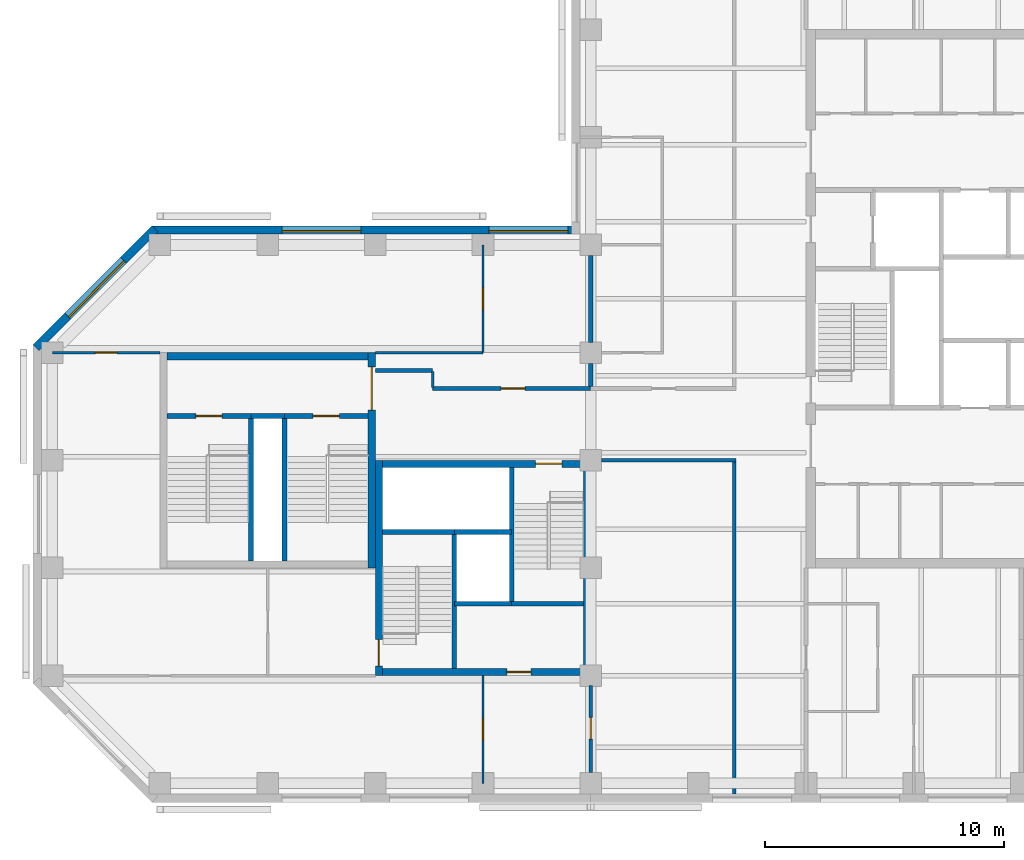
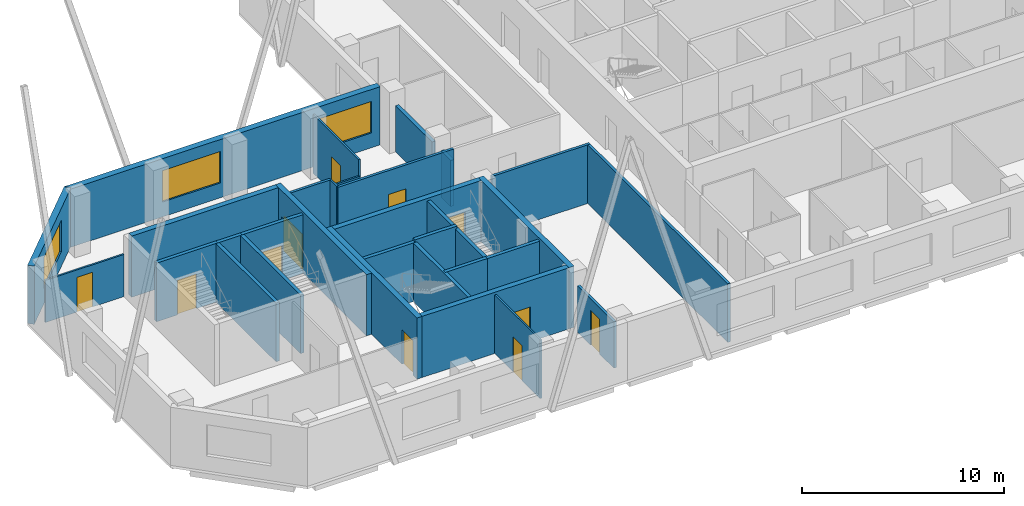
# One storey, part 3 of 10: 31 walls, 11 doors, 3 windows, 14 openings.
"""IFC4 building model written with IfcOpenShell, lengths in metres."""

from ifc_helpers import new_model, si_unit, direction, frame, frame_2d, origin, place, context, subcontext, project, spatial, rectangle, extrude, material, layer, layer_set, constituent, constituent_set, type_object, element, fill, save


model = new_model("IFC4")

# Units and contexts
model_context = context("Model", 3, precision=1e-05, world=origin(), true_north=direction((0.0, 1.0)))
body_context = subcontext(model_context, "Body", "Model", "MODEL_VIEW")
ifc_project = project(units=[si_unit("LENGTHUNIT", "METRE"), si_unit("AREAUNIT", "SQUARE_METRE"), si_unit("VOLUMEUNIT", "CUBIC_METRE"), si_unit("PLANEANGLEUNIT", "RADIAN"), si_unit("MASSUNIT", "GRAM", prefix="KILO")], contexts=[model_context])

# Site, building, storey
site_placement = place(None, origin())
site = spatial("IfcSite", under=ifc_project, at=site_placement, CompositionType="ELEMENT")
building_placement = place(site_placement, origin())
building = spatial("IfcBuilding", under=site, at=building_placement, Name="Quoin Convention Tower", CompositionType="ELEMENT")
storey_placement = place(building_placement, frame((0.0, 0.0, 234.10009765625)))
storey = spatial("IfcBuildingStorey", under=building, at=storey_placement, Name="L61", CompositionType="ELEMENT", Elevation=234.10009765625)

# Wall, openings, windows
ifc_material_1 = material(Name="Brick masonry", Category="masonry")
ifc_layer_1 = layer(ifc_material_1, 0.35009765625)
ifc_layer_set_1 = layer_set([ifc_layer_1], Name="Brick masonry")
wall_type_1 = type_object("IfcWallType", Name="Brick facade wall", PredefinedType="STANDARD", material=ifc_layer_set_1)
wall_1_placement = place(storey_placement, frame((35.550048828125, 63.625, 0.0), z_axis=(0.0, 0.0, 1.0), x_axis=(-1.0, 0.0, 0.0)))
wall_1 = element("IfcWall", 1, at=wall_1_placement, inside=storey, type_object=wall_type_1, Name="fw-L61-36000_63000", PredefinedType="STANDARD", context=body_context, shape_type="SweptSolid", body=[
    extrude(rectangle(XDim=17.88134765625, YDim=0.35009765625, at=frame_2d((8.940673828125, 0.0))), origin(), (0.0, 0.0, 1.0), 3.52490234375),
])
opening_1_placement = place(wall_1_placement, frame((0.5, 0.0, 0.89990234375)))
opening_1 = element("IfcOpeningElement", 2, at=opening_1_placement, cuts=wall_1, Name="Opening W-02", PredefinedType="OPENING", context=body_context, shape_type="SweptSolid", body=[
    extrude(rectangle(XDim=3.300048828125, YDim=1.89990234375, at=frame_2d((1.64990234375, 0.949951171875))), frame((0.0, 0.18505859375, 0.0), z_axis=(0.0, -1.0, 0.0), x_axis=(1.0, 0.0, 0.0)), (0.0, 0.0, 1.0), 0.3701171875),
])
opening_2_placement = place(wall_1_placement, frame((9.14990234375, 0.0, 0.89990234375)))
opening_2 = element("IfcOpeningElement", 3, at=opening_2_placement, cuts=wall_1, Name="Opening W-02", PredefinedType="OPENING", context=body_context, shape_type="SweptSolid", body=[
    extrude(rectangle(XDim=3.300048828125, YDim=1.89990234375, at=frame_2d((1.64990234375, 0.949951171875))), frame((0.0, 0.18505859375, 0.0), z_axis=(0.0, -1.0, 0.0), x_axis=(1.0, 0.0, 0.0)), (0.0, 0.0, 1.0), 0.3701171875),
])
ifc_material_2 = material(Name="Aluminium", Category="aluminium")
ifc_constituent_1 = constituent(ifc_material_2, Name="Frame")
ifc_material_3 = material(Name="Insulated glass", Category="glass")
ifc_constituent_2 = constituent(ifc_material_3, Name="Glazing")
ifc_constituent_set = constituent_set(constituents=[ifc_constituent_1, ifc_constituent_2], Name="Aluminium")
window_type = type_object("IfcWindowType", Name="Office window", PartitioningType="DOUBLE_PANEL_VERTICAL", PredefinedType="WINDOW", material=ifc_constituent_set)
window_1_placement = place(opening_1_placement, origin())
window_1 = element("IfcWindow", 4, at=window_1_placement, inside=storey, type_object=window_type, Name="win-L61-33750_63625", OverallHeight=1.89990234375, OverallWidth=3.300048828125, PartitioningType="SINGLE_PANEL", PredefinedType="WINDOW", context=body_context, shape_type="SweptSolid", body=[
    extrude(rectangle(XDim=3.300048828125, YDim=1.89990234375, at=frame_2d((1.64990234375, 0.949951171875))), frame((0.0, 0.0849609375, 0.0), z_axis=(0.0, -1.0, 0.0), x_axis=(1.0, 0.0, 0.0)), (0.0, 0.0, 1.0), 0.06005859375),
])
fill(opening_1, window_1)
window_2_placement = place(opening_2_placement, origin())
window_2 = element("IfcWindow", 5, at=window_2_placement, inside=storey, type_object=window_type, Name="win-L61-24750_63625", OverallHeight=1.89990234375, OverallWidth=3.300048828125, PartitioningType="SINGLE_PANEL", PredefinedType="WINDOW", context=body_context, shape_type="SweptSolid", body=[
    extrude(rectangle(XDim=3.300048828125, YDim=1.89990234375, at=frame_2d((1.64990234375, 0.949951171875))), frame((0.0, 0.0849609375, 0.0), z_axis=(0.0, -1.0, 0.0), x_axis=(1.0, 0.0, 0.0)), (0.0, 0.0, 1.0), 0.06005859375),
])
fill(opening_2, window_2)

# Wall, opening, window
wall_2_placement = place(storey_placement, frame((17.79248046875, 63.67626953125, 0.0), z_axis=(0.0, 0.0, 1.0), x_axis=(-0.707106781187, -0.707106781187, 0.0)))
wall_2 = element("IfcWall", 6, at=wall_2_placement, inside=storey, type_object=wall_type_1, Name="fw-L61-18000_63000", PredefinedType="STANDARD", context=body_context, shape_type="SweptSolid", body=[
    extrude(rectangle(XDim=7.02685546875, YDim=0.35009765625, at=frame_2d((3.513427734375, 0.0))), origin(), (0.0, 0.0, 1.0), 3.52490234375),
])
opening_3_placement = place(wall_2_placement, frame((1.86328125, 0.0, 0.89990234375)))
opening_3 = element("IfcOpeningElement", 7, at=opening_3_placement, cuts=wall_2, Name="Opening W-02", PredefinedType="OPENING", context=body_context, shape_type="SweptSolid", body=[
    extrude(rectangle(XDim=3.300048828125, YDim=1.89990234375, at=frame_2d((1.64990234375, 0.949951171875))), frame((0.0, 0.18505859375, 0.0), z_axis=(0.0, -1.0, 0.0), x_axis=(1.0, 0.0, 0.0)), (0.0, 0.0, 1.0), 0.3701171875),
])
window_3_placement = place(opening_3_placement, origin())
window_3 = element("IfcWindow", 8, at=window_3_placement, inside=storey, type_object=window_type, Name="win-L61-15308_61192", OverallHeight=1.89990234375, OverallWidth=3.300048828125, PartitioningType="SINGLE_PANEL", PredefinedType="WINDOW", context=body_context, shape_type="SweptSolid", body=[
    extrude(rectangle(XDim=3.300048828125, YDim=1.89990234375, at=frame_2d((1.64990234375, 0.949951171875))), frame((0.0, 0.0849609375, 0.0), z_axis=(0.0, -1.0, 0.0), x_axis=(1.0, 0.0, 0.0)), (0.0, 0.0, 1.0), 0.06005859375),
])
fill(opening_3, window_3)

# Walls
ifc_material_4 = material(Name="Concrete C50", Category="concrete")
ifc_layer_2 = layer(ifc_material_4, 0.199951171875)
ifc_layer_set_2 = layer_set([ifc_layer_2], Name="Concrete C50")
wall_type_2 = type_object("IfcWallType", Name="Core shaft wall", PredefinedType="SOLIDWALL", material=ifc_layer_set_2)
wall_3_placement = place(storey_placement, frame((30.300048828125, 48.0, 0.0), z_axis=(0.0, 0.0, 1.0), x_axis=(1.0, 0.0, 0.0)))
element("IfcWall", 9, at=wall_3_placement, inside=storey, type_object=wall_type_2, Name="cr-P2-L61-h3000_3300", PredefinedType="SOLIDWALL", context=body_context, shape_type="SweptSolid", body=[
    extrude(rectangle(XDim=2.39990234375, YDim=0.199951171875, at=frame_2d((1.199951171875, 0.0))), origin(), (0.0, 0.0, 1.0), 3.5498046875),
])
for number, where, z_axis, x_axis, name in (
    (10, (32.699951171875, 48.0, 0.0), (0.0, 0.0, 1.0), (1.0, 0.0, 0.0), "cr-P2-L61-h3000_5700"),
    (11, (27.300048828125, 51.0, 0.0), (0.0, 0.0, 1.0), (1.0, 0.0, 0.0), "cr-P2-L61-h6000_300"),
):
    element("IfcWall", number, at=place(storey_placement, frame(where, z_axis=z_axis, x_axis=x_axis)), inside=storey, type_object=wall_type_2, Name=name, PredefinedType="SOLIDWALL", context=body_context, shape_type="SweptSolid", body=[
        extrude(rectangle(XDim=3.0, YDim=0.199951171875, at=frame_2d((1.5, 0.0))), origin(), (0.0, 0.0, 1.0), 3.5498046875),
    ])
for number, where, z_axis, x_axis, name in (
    (12, (30.300048828125, 45.300048828125, 0.0), (0.0, 0.0, 1.0), (0.0, 1.0, 0.0), "cr-P2-L61-v3300_300"),
    (13, (32.699951171875, 48.0, 0.0), (0.0, 0.0, 1.0), (0.0, 1.0, 0.0), "cr-P2-L61-v5700_3000"),
):
    element("IfcWall", number, at=place(storey_placement, frame(where, z_axis=z_axis, x_axis=x_axis)), inside=storey, type_object=wall_type_2, Name=name, PredefinedType="SOLIDWALL", context=body_context, shape_type="SweptSolid", body=[
        extrude(rectangle(XDim=5.699951171875, YDim=0.199951171875, at=frame_2d((2.85009765625, 0.0))), origin(), (0.0, 0.0, 1.0), 3.5498046875),
    ])
wall_4_placement = place(storey_placement, frame((21.800048828125, 55.85009765625, 0.0), z_axis=(0.0, 0.0, 1.0), x_axis=(1.0, 0.0, 0.0)))
element("IfcWall", 14, at=wall_4_placement, inside=storey, type_object=wall_type_2, Name="cr-P6-L61-h6350_3800", PredefinedType="SOLIDWALL", context=body_context, shape_type="SweptSolid", body=[
    extrude(rectangle(XDim=1.39990234375, YDim=0.199951171875, at=frame_2d((0.699951171875, 0.0))), origin(), (0.0, 0.0, 1.0), 3.5498046875),
])

# Wall, opening, door
wall_5_placement = place(storey_placement, frame((18.300048828125, 55.85009765625, 0.0), z_axis=(0.0, 0.0, 1.0), x_axis=(1.0, 0.0, 0.0)))
wall_5 = element("IfcWall", 15, at=wall_5_placement, inside=storey, type_object=wall_type_2, Name="cr-P6-L61-h6350_300", PredefinedType="SOLIDWALL", context=body_context, shape_type="SweptSolid", body=[
    extrude(rectangle(XDim=3.5, YDim=0.199951171875, at=frame_2d((1.75, 0.0))), origin(), (0.0, 0.0, 1.0), 3.5498046875),
])
opening_4_placement = place(wall_5_placement, frame((1.199951171875, 0.0, 0.0)))
opening_4 = element("IfcOpeningElement", 16, at=opening_4_placement, cuts=wall_5, Name="Opening SD11", PredefinedType="OPENING", context=body_context, shape_type="SweptSolid", body=[
    extrude(rectangle(XDim=1.10009765625, YDim=2.10009765625, at=frame_2d((0.550048828125, 1.050048828125))), frame((0.0, 0.10986328125, 0.0), z_axis=(0.0, -1.0, 0.0), x_axis=(1.0, 0.0, 0.0)), (0.0, 0.0, 1.0), 0.219970703125),
])
ifc_material_5 = material(Name="Steel door leaf", Category="steel")
door_type_1 = type_object("IfcDoorType", Name="Stair door 1100 x 2100", OperationType="SINGLE_SWING_RIGHT", PredefinedType="DOOR", material=ifc_material_5)
door_1_placement = place(opening_4_placement, origin())
door_1 = element("IfcDoor", 17, at=door_1_placement, inside=storey, type_object=door_type_1, Name="cd-P6-L61-SA-R2-SD11", OperationType="SINGLE_SWING_RIGHT", OverallHeight=2.10009765625, OverallWidth=1.10009765625, PredefinedType="DOOR", context=body_context, shape_type="SweptSolid", body=[
    extrude(rectangle(XDim=1.10009765625, YDim=2.10009765625, at=frame_2d((0.550048828125, 1.050048828125))), frame((0.0, 0.02490234375, 0.0), z_axis=(0.0, -1.0, 0.0), x_axis=(1.0, 0.0, 0.0)), (0.0, 0.0, 1.0), 0.050048828125),
])
fill(opening_4, door_1)

wall_6_placement = place(storey_placement, frame((23.199951171875, 55.85009765625, 0.0), z_axis=(0.0, 0.0, 1.0), x_axis=(1.0, 0.0, 0.0)))
wall_6 = element("IfcWall", 18, at=wall_6_placement, inside=storey, type_object=wall_type_2, Name="cr-P6-L61-h6350_5200", PredefinedType="SOLIDWALL", context=body_context, shape_type="SweptSolid", body=[
    extrude(rectangle(XDim=3.5, YDim=0.199951171875, at=frame_2d((1.75, 0.0))), origin(), (0.0, 0.0, 1.0), 3.5498046875),
])
opening_5_placement = place(wall_6_placement, frame((1.199951171875, 0.0, 0.0)))
opening_5 = element("IfcOpeningElement", 19, at=opening_5_placement, cuts=wall_6, Name="Opening SD12", PredefinedType="OPENING", context=body_context, shape_type="SweptSolid", body=[
    extrude(rectangle(XDim=1.10009765625, YDim=2.10009765625, at=frame_2d((0.550048828125, 1.050048828125))), frame((0.0, 0.10986328125, 0.0), z_axis=(0.0, -1.0, 0.0), x_axis=(1.0, 0.0, 0.0)), (0.0, 0.0, 1.0), 0.219970703125),
])
door_2_placement = place(opening_5_placement, origin())
door_2 = element("IfcDoor", 20, at=door_2_placement, inside=storey, type_object=door_type_1, Name="cd-P6-L61-SB-R2-SD12", OperationType="SINGLE_SWING_RIGHT", OverallHeight=2.10009765625, OverallWidth=1.10009765625, PredefinedType="DOOR", context=body_context, shape_type="SweptSolid", body=[
    extrude(rectangle(XDim=1.10009765625, YDim=2.10009765625, at=frame_2d((0.550048828125, 1.050048828125))), frame((0.0, 0.02490234375, 0.0), z_axis=(0.0, -1.0, 0.0), x_axis=(1.0, 0.0, 0.0)), (0.0, 0.0, 1.0), 0.050048828125),
])
fill(opening_5, door_2)

# Walls
for number, where, z_axis, x_axis, name in (
    (21, (21.800048828125, 49.800048828125, 0.0), (0.0, 0.0, 1.0), (0.0, 1.0, 0.0), "cr-P6-L61-v3800_300"),
    (22, (23.199951171875, 49.800048828125, 0.0), (0.0, 0.0, 1.0), (0.0, 1.0, 0.0), "cr-P6-L61-v5200_300"),
):
    element("IfcWall", number, at=place(storey_placement, frame(where, z_axis=z_axis, x_axis=x_axis)), inside=storey, type_object=wall_type_2, Name=name, PredefinedType="SOLIDWALL", context=body_context, shape_type="SweptSolid", body=[
        extrude(rectangle(XDim=6.050048828125, YDim=0.199951171875, at=frame_2d((3.02490234375, 0.0))), origin(), (0.0, 0.0, 1.0), 3.5498046875),
    ])
ifc_layer_3 = layer(ifc_material_4, 0.199951171875)
ifc_layer_set_3 = layer_set([ifc_layer_3], Name="Concrete C50")
wall_type_3 = type_object("IfcWallType", Name="Core shaft wall to the floor level over", PredefinedType="SOLIDWALL", material=ifc_layer_set_3)
wall_7_placement = place(storey_placement, frame((30.300048828125, 51.0, 0.0), z_axis=(0.0, 0.0, 1.0), x_axis=(1.0, 0.0, 0.0)))
element("IfcWall", 23, at=wall_7_placement, inside=storey, type_object=wall_type_3, Name="cr-P2-L61-h6000_3300", PredefinedType="SOLIDWALL", context=body_context, shape_type="SweptSolid", body=[
    extrude(rectangle(XDim=2.39990234375, YDim=0.199951171875, at=frame_2d((1.199951171875, 0.0))), origin(), (0.0, 0.0, 1.0), 3.699951171875),
])
ifc_material_6 = material(Name="Plasterboard")
ifc_layer_4 = layer(ifc_material_6, 0.012451171875, Name="Finish")
ifc_material_7 = material(Name="Steel stud framing", Category="steel")
ifc_layer_5 = layer(ifc_material_7, 0.125, Name="Structure")
ifc_layer_6 = layer(ifc_material_6, 0.012451171875, Name="Finish")
ifc_layer_set_4 = layer_set([ifc_layer_4, ifc_layer_5, ifc_layer_6], Name="Steel stud framing")
wall_type_4 = type_object("IfcWallType", Name="Corridor wall 150", PredefinedType="PARTITIONING", material=ifc_layer_set_4)
wall_8_placement = place(storey_placement, frame((36.449951171875, 54.0, 0.0), z_axis=(0.0, 0.0, 1.0), x_axis=(1.0, 0.0, 0.0)))
element("IfcWall", 24, at=wall_8_placement, inside=storey, type_object=wall_type_4, Name="pw-L61-016", PredefinedType="PARTITIONING", context=body_context, shape_type="SweptSolid", body=[
    extrude(rectangle(XDim=5.625, YDim=0.14990234375, at=frame_2d((2.8125, 0.0))), origin(), (0.0, 0.0, 1.0), 3.5498046875),
])

# Wall, opening, door
wall_9_placement = place(storey_placement, frame((29.3798828125, 57.0, 0.0), z_axis=(0.0, 0.0, 1.0), x_axis=(1.0, 0.0, 0.0)))
wall_9 = element("IfcWall", 25, at=wall_9_placement, inside=storey, type_object=wall_type_4, Name="pw-L61-018", PredefinedType="PARTITIONING", context=body_context, shape_type="SweptSolid", body=[
    extrude(rectangle(XDim=6.6201171875, YDim=0.14990234375, at=frame_2d((3.31005859375, 0.0))), origin(), (0.0, 0.0, 1.0), 3.5498046875),
])
opening_6_placement = place(wall_9_placement, frame((2.8798828125, 0.0, 0.0)))
opening_6 = element("IfcOpeningElement", 26, at=opening_6_placement, cuts=wall_9, Name="Opening DOH11-03", PredefinedType="OPENING", context=body_context, shape_type="SweptSolid", body=[
    extrude(rectangle(XDim=1.0, YDim=2.10009765625, at=frame_2d((0.5, 1.050048828125))), frame((0.0, 0.0849609375, 0.0), z_axis=(0.0, -1.0, 0.0), x_axis=(1.0, 0.0, 0.0)), (0.0, 0.0, 1.0), 0.169921875),
])
door_type_2 = type_object("IfcDoorType", Name="Tenancy entrance door 1000 x 2100", OperationType="DOUBLE_DOOR_SINGLE_SWING", PredefinedType="DOOR", material=ifc_material_5)
door_3_placement = place(opening_6_placement, origin())
door_3 = element("IfcDoor", 27, at=door_3_placement, inside=storey, type_object=door_type_2, Name="dr-L61-w01", OperationType="DOUBLE_DOOR_SINGLE_SWING", OverallHeight=2.10009765625, OverallWidth=1.0, PredefinedType="DOOR", context=body_context, shape_type="SweptSolid", body=[
    extrude(rectangle(XDim=1.0, YDim=2.10009765625, at=frame_2d((0.5, 1.050048828125))), frame((0.0, 0.02490234375, 0.0), z_axis=(0.0, -1.0, 0.0), x_axis=(1.0, 0.0, 0.0)), (0.0, 0.0, 1.0), 0.050048828125),
])
fill(opening_6, door_3)

# Walls
wall_10_placement = place(storey_placement, frame((42.0, 40.050048828125, 0.0), z_axis=(0.0, 0.0, 1.0), x_axis=(0.0, 1.0, 0.0)))
element("IfcWall", 28, at=wall_10_placement, inside=storey, type_object=wall_type_4, Name="pw-L61-035", PredefinedType="PARTITIONING", context=body_context, shape_type="SweptSolid", body=[
    extrude(rectangle(XDim=13.875, YDim=0.14990234375, at=frame_2d((6.9375, 0.0))), origin(), (0.0, 0.0, 1.0), 3.5498046875),
])
wall_11_placement = place(storey_placement, frame((27.0, 57.75, 0.0), z_axis=(0.0, 0.0, 1.0), x_axis=(1.0, 0.0, 0.0)))
element("IfcWall", 29, at=wall_11_placement, inside=storey, type_object=wall_type_4, Name="pw-L61-w08", PredefinedType="PARTITIONING", context=body_context, shape_type="SweptSolid", body=[
    extrude(rectangle(XDim=2.39990234375, YDim=0.14990234375, at=frame_2d((1.199951171875, 0.0))), origin(), (0.0, 0.0, 1.0), 3.5498046875),
])

# Wall, opening, door
ifc_layer_7 = layer(ifc_material_6, 0.012451171875, Name="Finish")
ifc_layer_8 = layer(ifc_material_7, 0.125, Name="Structure")
ifc_layer_9 = layer(ifc_material_6, 0.012451171875, Name="Finish")
ifc_layer_set_5 = layer_set([ifc_layer_7, ifc_layer_8, ifc_layer_9], Name="Steel stud framing")
wall_type_5 = type_object("IfcWallType", Name="Corridor wall 150 under beam 750", PredefinedType="PARTITIONING", material=ifc_layer_set_5)
wall_12_placement = place(storey_placement, frame((36.0, 40.949951171875, 0.0), z_axis=(0.0, 0.0, 1.0), x_axis=(0.0, 1.0, 0.0)))
wall_12 = element("IfcWall", 30, at=wall_12_placement, inside=storey, type_object=wall_type_5, Name="pw-L61-043", PredefinedType="PARTITIONING", context=body_context, shape_type="SweptSolid", body=[
    extrude(rectangle(XDim=3.630126953125, YDim=0.14990234375, at=frame_2d((1.81494140625, 0.0))), origin(), (0.0, 0.0, 1.0), 2.7998046875),
])
opening_7_placement = place(wall_12_placement, frame((1.39990234375, 0.0, 0.0)))
opening_7 = element("IfcOpeningElement", 31, at=opening_7_placement, cuts=wall_12, Name="Opening DOH11-11", PredefinedType="OPENING", context=body_context, shape_type="SweptSolid", body=[
    extrude(rectangle(XDim=0.89990234375, YDim=2.10009765625, at=frame_2d((0.449951171875, 1.050048828125))), frame((0.0, 0.0849609375, 0.0), z_axis=(0.0, -1.0, 0.0), x_axis=(1.0, 0.0, 0.0)), (0.0, 0.0, 1.0), 0.169921875),
])
door_type_3 = type_object("IfcDoorType", Name="Office door 900 x 2100", OperationType="SINGLE_SWING_RIGHT", PredefinedType="DOOR", material=ifc_material_5)
door_4_placement = place(opening_7_placement, frame((0.89990234375, 0.0, 0.0), z_axis=(0.0, 0.0, 1.0), x_axis=(-1.0, 0.0, 0.0)))
door_4 = element("IfcDoor", 32, at=door_4_placement, inside=storey, type_object=door_type_3, Name="dr-L61-01", OperationType="SINGLE_SWING_LEFT", OverallHeight=2.10009765625, OverallWidth=0.89990234375, PredefinedType="DOOR", context=body_context, shape_type="SweptSolid", body=[
    extrude(rectangle(XDim=0.89990234375, YDim=2.10009765625, at=frame_2d((0.449951171875, 1.050048828125))), frame((0.0, 0.02490234375, 0.0), z_axis=(0.0, -1.0, 0.0), x_axis=(1.0, 0.0, 0.0)), (0.0, 0.0, 1.0), 0.050048828125),
])
fill(opening_7, door_4)

ifc_layer_10 = layer(ifc_material_4, 0.300048828125)
ifc_layer_set_6 = layer_set([ifc_layer_10], Name="Concrete C50")
wall_type_6 = type_object("IfcWallType", Name="RC CORE WALL 300 C50", PredefinedType="SHEAR", material=ifc_layer_set_6)
wall_13_placement = place(storey_placement, frame((27.300048828125, 45.14990234375, 0.0), z_axis=(0.0, 0.0, 1.0), x_axis=(1.0, 0.0, 0.0)))
wall_13 = element("IfcWall", 33, at=wall_13_placement, inside=storey, type_object=wall_type_6, Name="cwl-P2-L61-S", PredefinedType="SHEAR", context=body_context, shape_type="SweptSolid", body=[
    extrude(rectangle(XDim=8.39990234375, YDim=0.300048828125, at=frame_2d((4.199951171875, 0.0))), origin(), (0.0, 0.0, 1.0), 3.699951171875),
])
opening_8_placement = place(wall_13_placement, frame((5.199951171875, 0.0, 0.0)))
opening_8 = element("IfcOpeningElement", 34, at=opening_8_placement, cuts=wall_13, Name="Opening DCV3-41", PredefinedType="OPENING", context=body_context, shape_type="SweptSolid", body=[
    extrude(rectangle(XDim=1.0, YDim=2.10009765625, at=frame_2d((0.5, 1.050048828125))), frame((0.0, 0.159912109375, 0.0), z_axis=(0.0, -1.0, 0.0), x_axis=(1.0, 0.0, 0.0)), (0.0, 0.0, 1.0), 0.320068359375),
])
door_type_4 = type_object("IfcDoorType", Name="Service door 1000 x 2100", OperationType="SINGLE_SWING_LEFT", PredefinedType="DOOR", material=ifc_material_5)
door_5_placement = place(opening_8_placement, frame((1.0, 0.0, 0.0), z_axis=(0.0, 0.0, 1.0), x_axis=(-1.0, 0.0, 0.0)))
door_5 = element("IfcDoor", 35, at=door_5_placement, inside=storey, type_object=door_type_4, Name="cd-P2-L61-R2-S", OperationType="SINGLE_SWING_RIGHT", OverallHeight=2.10009765625, OverallWidth=1.0, PredefinedType="DOOR", context=body_context, shape_type="SweptSolid", body=[
    extrude(rectangle(XDim=1.0, YDim=2.10009765625, at=frame_2d((0.5, 1.050048828125))), frame((0.0, 0.02490234375, 0.0), z_axis=(0.0, -1.0, 0.0), x_axis=(1.0, 0.0, 0.0)), (0.0, 0.0, 1.0), 0.050048828125),
])
fill(opening_8, door_5)

wall_14_placement = place(storey_placement, frame((27.300048828125, 53.85009765625, 0.0), z_axis=(0.0, 0.0, 1.0), x_axis=(1.0, 0.0, 0.0)))
wall_14 = element("IfcWall", 36, at=wall_14_placement, inside=storey, type_object=wall_type_6, Name="cwl-P2-L61-N", PredefinedType="SHEAR", context=body_context, shape_type="SweptSolid", body=[
    extrude(rectangle(XDim=8.39990234375, YDim=0.300048828125, at=frame_2d((4.199951171875, 0.0))), origin(), (0.0, 0.0, 1.0), 3.699951171875),
])
opening_9_placement = place(wall_14_placement, frame((6.39990234375, 0.0, 0.0)))
opening_9 = element("IfcOpeningElement", 37, at=opening_9_placement, cuts=wall_14, Name="Opening SD4", PredefinedType="OPENING", context=body_context, shape_type="SweptSolid", body=[
    extrude(rectangle(XDim=1.10009765625, YDim=2.10009765625, at=frame_2d((0.550048828125, 1.050048828125))), frame((0.0, 0.159912109375, 0.0), z_axis=(0.0, -1.0, 0.0), x_axis=(1.0, 0.0, 0.0)), (0.0, 0.0, 1.0), 0.320068359375),
])
door_6_placement = place(opening_9_placement, frame((1.10009765625, 0.0, 0.0), z_axis=(0.0, 0.0, 1.0), x_axis=(-1.0, 0.0, 0.0)))
door_6 = element("IfcDoor", 38, at=door_6_placement, inside=storey, type_object=door_type_1, Name="cd-P2-L61-SB-N", OperationType="SINGLE_SWING_LEFT", OverallHeight=2.10009765625, OverallWidth=1.10009765625, PredefinedType="DOOR", context=body_context, shape_type="SweptSolid", body=[
    extrude(rectangle(XDim=1.10009765625, YDim=2.10009765625, at=frame_2d((0.550048828125, 1.050048828125))), frame((0.0, 0.02490234375, 0.0), z_axis=(0.0, -1.0, 0.0), x_axis=(1.0, 0.0, 0.0)), (0.0, 0.0, 1.0), 0.050048828125),
])
fill(opening_9, door_6)

wall_15_placement = place(storey_placement, frame((27.14990234375, 45.0, 0.0), z_axis=(0.0, 0.0, 1.0), x_axis=(0.0, 1.0, 0.0)))
wall_15 = element("IfcWall", 39, at=wall_15_placement, inside=storey, type_object=wall_type_6, Name="cwl-P2-L61-W", PredefinedType="SHEAR", context=body_context, shape_type="SweptSolid", body=[
    extrude(rectangle(XDim=9.0, YDim=0.300048828125, at=frame_2d((4.5, 0.0))), origin(), (0.0, 0.0, 1.0), 3.699951171875),
])
opening_10_placement = place(wall_15_placement, frame((0.39990234375, 0.0, 0.0)))
opening_10 = element("IfcOpeningElement", 40, at=opening_10_placement, cuts=wall_15, Name="Opening SD3", PredefinedType="OPENING", context=body_context, shape_type="SweptSolid", body=[
    extrude(rectangle(XDim=1.10009765625, YDim=2.10009765625, at=frame_2d((0.550048828125, 1.050048828125))), frame((0.0, 0.159912109375, 0.0), z_axis=(0.0, -1.0, 0.0), x_axis=(1.0, 0.0, 0.0)), (0.0, 0.0, 1.0), 0.320068359375),
])
door_7_placement = place(opening_10_placement, frame((1.10009765625, 0.0, 0.0), z_axis=(0.0, 0.0, 1.0), x_axis=(-1.0, 0.0, 0.0)))
door_7 = element("IfcDoor", 41, at=door_7_placement, inside=storey, type_object=door_type_1, Name="cd-P2-L61-SA-W", OperationType="SINGLE_SWING_RIGHT", OverallHeight=2.10009765625, OverallWidth=1.10009765625, PredefinedType="DOOR", context=body_context, shape_type="SweptSolid", body=[
    extrude(rectangle(XDim=1.10009765625, YDim=2.10009765625, at=frame_2d((0.550048828125, 1.050048828125))), frame((0.0, 0.02490234375, 0.0), z_axis=(0.0, -1.0, 0.0), x_axis=(1.0, 0.0, 0.0)), (0.0, 0.0, 1.0), 0.050048828125),
])
fill(opening_10, door_7)

# Walls
wall_16_placement = place(storey_placement, frame((35.85009765625, 45.0, 0.0), z_axis=(0.0, 0.0, 1.0), x_axis=(0.0, 1.0, 0.0)))
element("IfcWall", 42, at=wall_16_placement, inside=storey, type_object=wall_type_6, Name="cwl-P2-L61-E", PredefinedType="SHEAR", context=body_context, shape_type="SweptSolid", body=[
    extrude(rectangle(XDim=9.0, YDim=0.300048828125, at=frame_2d((4.5, 0.0))), origin(), (0.0, 0.0, 1.0), 3.699951171875),
])
wall_17_placement = place(storey_placement, frame((18.300048828125, 58.35009765625, 0.0), z_axis=(0.0, 0.0, 1.0), x_axis=(1.0, 0.0, 0.0)))
element("IfcWall", 43, at=wall_17_placement, inside=storey, type_object=wall_type_6, Name="cwl-P6-L61-N", PredefinedType="SHEAR", context=body_context, shape_type="SweptSolid", body=[
    extrude(rectangle(XDim=8.39990234375, YDim=0.300048828125, at=frame_2d((4.199951171875, 0.0))), origin(), (0.0, 0.0, 1.0), 3.699951171875),
])

# Wall, opening, door
wall_18_placement = place(storey_placement, frame((26.85009765625, 49.5, 0.0), z_axis=(0.0, 0.0, 1.0), x_axis=(0.0, 1.0, 0.0)))
wall_18 = element("IfcWall", 44, at=wall_18_placement, inside=storey, type_object=wall_type_6, Name="cwl-P6-L61-E", PredefinedType="SHEAR", context=body_context, shape_type="SweptSolid", body=[
    extrude(rectangle(XDim=9.0, YDim=0.300048828125, at=frame_2d((4.5, 0.0))), origin(), (0.0, 0.0, 1.0), 3.699951171875),
])
opening_11_placement = place(wall_18_placement, frame((6.60009765625, 0.0, 0.0)))
opening_11 = element("IfcOpeningElement", 45, at=opening_11_placement, cuts=wall_18, Name="Opening DCV3-44", PredefinedType="OPENING", context=body_context, shape_type="SweptSolid", body=[
    extrude(rectangle(XDim=1.800048828125, YDim=2.10009765625, at=frame_2d((0.89990234375, 1.050048828125))), frame((0.0, 0.159912109375, 0.0), z_axis=(0.0, -1.0, 0.0), x_axis=(1.0, 0.0, 0.0)), (0.0, 0.0, 1.0), 0.320068359375),
])
door_type_5 = type_object("IfcDoorType", Name="Goods lobby door 1800 x 2100", OperationType="SINGLE_SWING_LEFT", PredefinedType="DOOR", material=ifc_material_5)
door_8_placement = place(opening_11_placement, origin())
door_8 = element("IfcDoor", 46, at=door_8_placement, inside=storey, type_object=door_type_5, Name="cd-P6-L61-R2-E", OperationType="SINGLE_SWING_LEFT", OverallHeight=2.10009765625, OverallWidth=1.800048828125, PredefinedType="DOOR", context=body_context, shape_type="SweptSolid", body=[
    extrude(rectangle(XDim=1.800048828125, YDim=2.10009765625, at=frame_2d((0.89990234375, 1.050048828125))), frame((0.0, 0.02490234375, 0.0), z_axis=(0.0, -1.0, 0.0), x_axis=(1.0, 0.0, 0.0)), (0.0, 0.0, 1.0), 0.050048828125),
])
fill(opening_11, door_8)

ifc_layer_11 = layer(ifc_material_6, 0.012451171875, Name="Finish")
ifc_layer_12 = layer(ifc_material_7, 0.074951171875, Name="Structure")
ifc_layer_13 = layer(ifc_material_6, 0.012451171875, Name="Finish")
ifc_layer_set_7 = layer_set([ifc_layer_11, ifc_layer_12, ifc_layer_13], Name="Steel stud framing")
wall_type_7 = type_object("IfcWallType", Name="Stud partition 100", PredefinedType="PARTITIONING", material=ifc_layer_set_7)
wall_19_placement = place(storey_placement, frame((31.5, 63.0, 0.0), z_axis=(0.0, 0.0, 1.0), x_axis=(0.0, -1.0, 0.0)))
wall_19 = element("IfcWall", 47, at=wall_19_placement, inside=storey, type_object=wall_type_7, Name="pw-L61-w01", PredefinedType="PARTITIONING", context=body_context, shape_type="SweptSolid", body=[
    extrude(rectangle(XDim=4.5, YDim=0.10009765625, at=frame_2d((2.25, 0.0))), origin(), (0.0, 0.0, 1.0), 3.5498046875),
])
opening_12_placement = place(wall_19_placement, frame((1.800048828125, 0.0, 0.0)))
opening_12 = element("IfcOpeningElement", 48, at=opening_12_placement, cuts=wall_19, Name="Opening DOH11-28", PredefinedType="OPENING", context=body_context, shape_type="SweptSolid", body=[
    extrude(rectangle(XDim=0.89990234375, YDim=2.10009765625, at=frame_2d((0.449951171875, 1.050048828125))), frame((0.0, 0.06005859375, 0.0), z_axis=(0.0, -1.0, 0.0), x_axis=(1.0, 0.0, 0.0)), (0.0, 0.0, 1.0), 0.1201171875),
])
door_9_placement = place(opening_12_placement, frame((0.89990234375, 0.0, 0.0), z_axis=(0.0, 0.0, 1.0), x_axis=(-1.0, 0.0, 0.0)))
door_9 = element("IfcDoor", 49, at=door_9_placement, inside=storey, type_object=door_type_3, Name="dr-L61-w02", OperationType="SINGLE_SWING_LEFT", OverallHeight=2.10009765625, OverallWidth=0.89990234375, PredefinedType="DOOR", context=body_context, shape_type="SweptSolid", body=[
    extrude(rectangle(XDim=0.89990234375, YDim=2.10009765625, at=frame_2d((0.449951171875, 1.050048828125))), frame((0.0, 0.02490234375, 0.0), z_axis=(0.0, -1.0, 0.0), x_axis=(1.0, 0.0, 0.0)), (0.0, 0.0, 1.0), 0.050048828125),
])
fill(opening_12, door_9)

wall_20_placement = place(storey_placement, frame((31.5, 45.0, 0.0), z_axis=(0.0, 0.0, 1.0), x_axis=(0.0, -1.0, 0.0)))
wall_20 = element("IfcWall", 50, at=wall_20_placement, inside=storey, type_object=wall_type_7, Name="pw-L61-w07", PredefinedType="PARTITIONING", context=body_context, shape_type="SweptSolid", body=[
    extrude(rectangle(XDim=4.5, YDim=0.10009765625, at=frame_2d((2.25, 0.0))), origin(), (0.0, 0.0, 1.0), 3.5498046875),
])
opening_13_placement = place(wall_20_placement, frame((1.800048828125, 0.0, 0.0)))
opening_13 = element("IfcOpeningElement", 51, at=opening_13_placement, cuts=wall_20, Name="Opening DOH11-32", PredefinedType="OPENING", context=body_context, shape_type="SweptSolid", body=[
    extrude(rectangle(XDim=0.89990234375, YDim=2.10009765625, at=frame_2d((0.449951171875, 1.050048828125))), frame((0.0, 0.06005859375, 0.0), z_axis=(0.0, -1.0, 0.0), x_axis=(1.0, 0.0, 0.0)), (0.0, 0.0, 1.0), 0.1201171875),
])
door_10_placement = place(opening_13_placement, frame((0.89990234375, 0.0, 0.0), z_axis=(0.0, 0.0, 1.0), x_axis=(-1.0, 0.0, 0.0)))
door_10 = element("IfcDoor", 52, at=door_10_placement, inside=storey, type_object=door_type_3, Name="dr-L61-w06", OperationType="SINGLE_SWING_RIGHT", OverallHeight=2.10009765625, OverallWidth=0.89990234375, PredefinedType="DOOR", context=body_context, shape_type="SweptSolid", body=[
    extrude(rectangle(XDim=0.89990234375, YDim=2.10009765625, at=frame_2d((0.449951171875, 1.050048828125))), frame((0.0, 0.02490234375, 0.0), z_axis=(0.0, -1.0, 0.0), x_axis=(1.0, 0.0, 0.0)), (0.0, 0.0, 1.0), 0.050048828125),
])
fill(opening_13, door_10)

# Walls
wall_21_placement = place(storey_placement, frame((29.39990234375, 57.715087890625, 0.0), z_axis=(0.0, 0.0, 1.0), x_axis=(0.0, -1.0, 0.0)))
element("IfcWall", 53, at=wall_21_placement, inside=storey, type_object=wall_type_7, Name="pw-L61-w09", PredefinedType="PARTITIONING", context=body_context, shape_type="SweptSolid", body=[
    extrude(rectangle(XDim=0.68017578125, YDim=0.10009765625, at=frame_2d((0.340087890625, 0.0))), origin(), (0.0, 0.0, 1.0), 3.5498046875),
])
ifc_layer_14 = layer(ifc_material_6, 0.012451171875, Name="Finish")
ifc_layer_15 = layer(ifc_material_7, 0.074951171875, Name="Structure")
ifc_layer_16 = layer(ifc_material_6, 0.012451171875, Name="Finish")
ifc_layer_set_8 = layer_set([ifc_layer_14, ifc_layer_15, ifc_layer_16], Name="Steel stud framing")
wall_type_8 = type_object("IfcWallType", Name="Stud partition 100 under beam 1000", PredefinedType="PARTITIONING", material=ifc_layer_set_8)
wall_22_placement = place(storey_placement, frame((31.5, 58.5, 0.0), z_axis=(0.0, 0.0, 1.0), x_axis=(-1.0, 0.0, 0.0)))
element("IfcWall", 54, at=wall_22_placement, inside=storey, type_object=wall_type_8, Name="pw-L61-w02", PredefinedType="PARTITIONING", context=body_context, shape_type="SweptSolid", body=[
    extrude(rectangle(XDim=4.5, YDim=0.10009765625, at=frame_2d((2.25, 0.0))), origin(), (0.0, 0.0, 1.0), 2.5498046875),
])

# Wall, opening, door
wall_23_placement = place(storey_placement, frame((13.5, 58.5, 0.0), z_axis=(0.0, 0.0, 1.0), x_axis=(1.0, 0.0, 0.0)))
wall_23 = element("IfcWall", 55, at=wall_23_placement, inside=storey, type_object=wall_type_8, Name="pw-L61-w03", PredefinedType="PARTITIONING", context=body_context, shape_type="SweptSolid", body=[
    extrude(rectangle(XDim=4.5, YDim=0.10009765625, at=frame_2d((2.25, 0.0))), origin(), (0.0, 0.0, 1.0), 2.5498046875),
])
opening_14_placement = place(wall_23_placement, frame((1.800048828125, 0.0, 0.0)))
opening_14 = element("IfcOpeningElement", 56, at=opening_14_placement, cuts=wall_23, Name="Opening DOH11-29", PredefinedType="OPENING", context=body_context, shape_type="SweptSolid", body=[
    extrude(rectangle(XDim=0.89990234375, YDim=2.10009765625, at=frame_2d((0.449951171875, 1.050048828125))), frame((0.0, 0.06005859375, 0.0), z_axis=(0.0, -1.0, 0.0), x_axis=(1.0, 0.0, 0.0)), (0.0, 0.0, 1.0), 0.1201171875),
])
door_11_placement = place(opening_14_placement, frame((0.89990234375, 0.0, 0.0), z_axis=(0.0, 0.0, 1.0), x_axis=(-1.0, 0.0, 0.0)))
door_11 = element("IfcDoor", 57, at=door_11_placement, inside=storey, type_object=door_type_3, Name="dr-L61-w03", OperationType="SINGLE_SWING_LEFT", OverallHeight=2.10009765625, OverallWidth=0.89990234375, PredefinedType="DOOR", context=body_context, shape_type="SweptSolid", body=[
    extrude(rectangle(XDim=0.89990234375, YDim=2.10009765625, at=frame_2d((0.449951171875, 1.050048828125))), frame((0.0, 0.02490234375, 0.0), z_axis=(0.0, -1.0, 0.0), x_axis=(1.0, 0.0, 0.0)), (0.0, 0.0, 1.0), 0.050048828125),
])
fill(opening_14, door_11)

# Walls
ifc_layer_17 = layer(ifc_material_6, 0.012451171875, Name="Finish")
ifc_layer_18 = layer(ifc_material_7, 0.175048828125, Name="Structure")
ifc_layer_19 = layer(ifc_material_6, 0.012451171875, Name="Finish")
ifc_layer_set_9 = layer_set([ifc_layer_17, ifc_layer_18, ifc_layer_19], Name="Steel stud framing")
wall_type_9 = type_object("IfcWallType", Name="Tenancy demising wall 200 under beam 750", PredefinedType="PARTITIONING", material=ifc_layer_set_9)
wall_24_placement = place(storey_placement, frame((36.0, 57.074951171875, 0.0), z_axis=(0.0, 0.0, 1.0), x_axis=(0.0, 1.0, 0.0)))
element("IfcWall", 58, at=wall_24_placement, inside=storey, type_object=wall_type_9, Name="pw-L61-061", PredefinedType="PARTITIONING", context=body_context, shape_type="SweptSolid", body=[
    extrude(rectangle(XDim=0.97509765625, YDim=0.199951171875, at=frame_2d((0.487548828125, 0.0))), origin(), (0.0, 0.0, 1.0), 2.7998046875),
])
wall_25_placement = place(storey_placement, frame((36.0, 58.919921875, 0.0), z_axis=(0.0, 0.0, 1.0), x_axis=(0.0, 1.0, 0.0)))
element("IfcWall", 59, at=wall_25_placement, inside=storey, type_object=wall_type_9, Name="pw-L61-064", PredefinedType="PARTITIONING", context=body_context, shape_type="SweptSolid", body=[
    extrude(rectangle(XDim=3.630126953125, YDim=0.199951171875, at=frame_2d((1.81494140625, 0.0))), origin(), (0.0, 0.0, 1.0), 2.7998046875),
])

save(model, "model.ifc")
